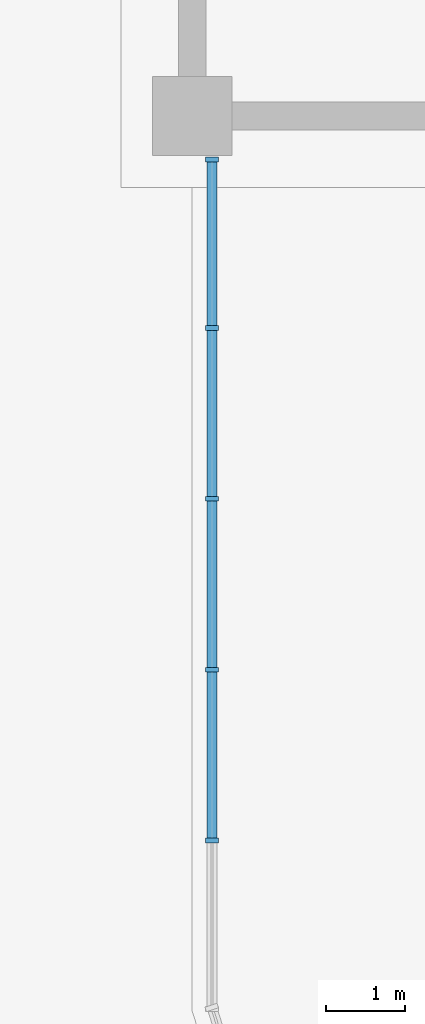
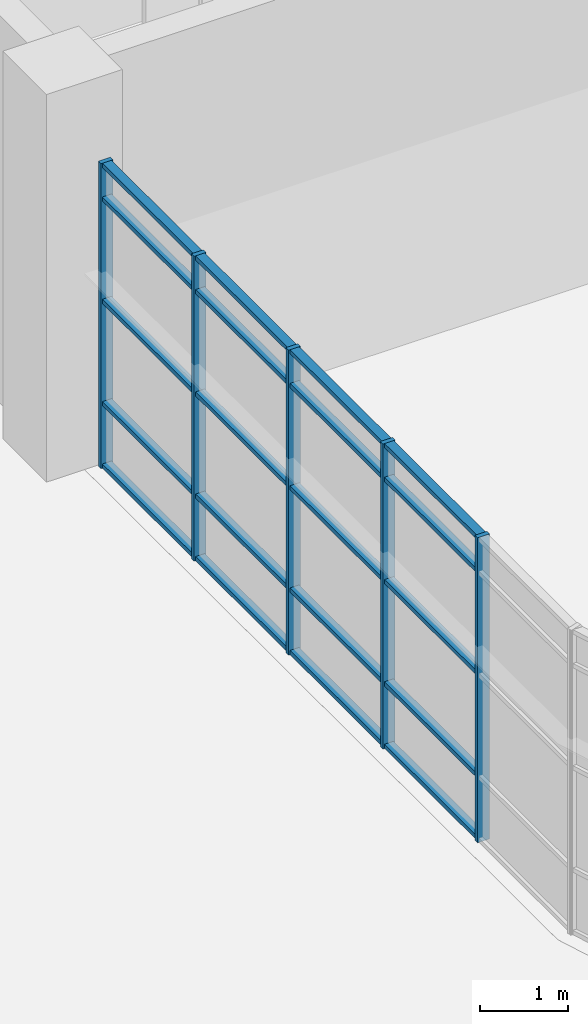
# One storey, part 25 of 146: 25 members, 1 element without a shape of its own.
"""IFC4 building model written with IfcOpenShell, lengths in metres."""

from ifc_helpers import new_model, si_unit, direction, frame, origin, origin_2d, place, context, subcontext, project, spatial, rectangle, extrude, material, material_profile, profile_set, type_object, element, aggregate, save


model = new_model("IFC4")

# Units and contexts
model_context = context("Model", 3, precision=1e-05, world=origin(), true_north=direction((0.0, 1.0)))
body_context = subcontext(model_context, "Body", "Model", "MODEL_VIEW")
ifc_project = project(units=[si_unit("LENGTHUNIT", "METRE"), si_unit("AREAUNIT", "SQUARE_METRE"), si_unit("VOLUMEUNIT", "CUBIC_METRE"), si_unit("PLANEANGLEUNIT", "RADIAN"), si_unit("MASSUNIT", "GRAM", prefix="KILO")], contexts=[model_context])

# Site, building, storey
site_placement = place(None, origin())
site = spatial("IfcSite", under=ifc_project, at=site_placement, CompositionType="ELEMENT")
building_placement = place(site_placement, origin())
building = spatial("IfcBuilding", under=site, at=building_placement, Name="Bougainvillea Quay General Hospital", CompositionType="ELEMENT")
storey_placement = place(building_placement, origin())
storey = spatial("IfcBuildingStorey", under=building, at=storey_placement, Name="L00", CompositionType="ELEMENT", Elevation=0.0)

# Curtain wall, members
ifc_material_1 = material(Name="Aluminium curtain wall system, powder-coated glazed", Category="aluminium")
curtain_wall_type = type_object("IfcCurtainWallType", Name="Unitised curtain wall CW-2157", PredefinedType="NOTDEFINED", material=ifc_material_1)
curtain_wall_placement = place(storey_placement, origin())
curtain_wall = element("IfcCurtainWall", 1, at=curtain_wall_placement, inside=storey, type_object=curtain_wall_type, Name="CW-AE 00", PredefinedType="NOTDEFINED")
ifc_material_2 = material(Name="Aluminium mullion, powder-coated charcoal", Category="aluminium")
ifc_material_profile_1 = material_profile(ifc_material_2, rectangle(XDim=0.159912109375, YDim=0.06005859375, at=origin_2d()))
ifc_profile_set_1 = profile_set([ifc_material_profile_1], Name="Aluminium mullion, powder-coated charcoal")
member_type_1 = type_object("IfcMemberType", Name="Curtain wall mullion 160x60", PredefinedType="MULLION", material=ifc_profile_set_1)
member_1_placement = place(storey_placement, frame((42.25, 117.050048828125, 0.0), z_axis=(0.0, 0.0, 1.0), x_axis=(1.0, 0.0, 0.0)))
member_1 = element("IfcMember", 2, at=member_1_placement, type_object=member_type_1, Name="CW-AE mullion 1", PredefinedType="MULLION", context=body_context, shape_type="SweptSolid", body=[
    extrude(rectangle(XDim=0.159912109375, YDim=0.06005859375, at=origin_2d()), origin(), (0.0, 0.0, 1.0), 4.25),
])
member_2_placement = place(storey_placement, frame((42.25, 114.923095703125, 0.0), z_axis=(0.0, 0.0, 1.0), x_axis=(1.0, 0.0, 0.0)))
member_2 = element("IfcMember", 3, at=member_2_placement, type_object=member_type_1, Name="CW-AE mullion 2", PredefinedType="MULLION", context=body_context, shape_type="SweptSolid", body=[
    extrude(rectangle(XDim=0.159912109375, YDim=0.06005859375, at=origin_2d()), origin(), (0.0, 0.0, 1.0), 4.25),
])
member_3_placement = place(storey_placement, frame((42.25, 112.766357421875, 0.0), z_axis=(0.0, 0.0, 1.0), x_axis=(1.0, 0.0, 0.0)))
member_3 = element("IfcMember", 4, at=member_3_placement, type_object=member_type_1, Name="CW-AE mullion 3", PredefinedType="MULLION", context=body_context, shape_type="SweptSolid", body=[
    extrude(rectangle(XDim=0.159912109375, YDim=0.06005859375, at=origin_2d()), origin(), (0.0, 0.0, 1.0), 4.25),
])
member_4_placement = place(storey_placement, frame((42.25, 110.609619140625, 0.0), z_axis=(0.0, 0.0, 1.0), x_axis=(1.0, 0.0, 0.0)))
member_4 = element("IfcMember", 5, at=member_4_placement, type_object=member_type_1, Name="CW-AE mullion 4", PredefinedType="MULLION", context=body_context, shape_type="SweptSolid", body=[
    extrude(rectangle(XDim=0.159912109375, YDim=0.06005859375, at=origin_2d()), origin(), (0.0, 0.0, 1.0), 4.25),
])
member_5_placement = place(storey_placement, frame((42.25, 108.452880859375, 0.0), z_axis=(0.0, 0.0, 1.0), x_axis=(1.0, 0.0, 0.0)))
member_5 = element("IfcMember", 6, at=member_5_placement, type_object=member_type_1, Name="CW-AE mullion 5", PredefinedType="MULLION", context=body_context, shape_type="SweptSolid", body=[
    extrude(rectangle(XDim=0.159912109375, YDim=0.06005859375, at=origin_2d()), origin(), (0.0, 0.0, 1.0), 4.25),
])
ifc_material_3 = material(Name="Aluminium transom, powder-coated charcoal", Category="aluminium")
ifc_material_profile_2 = material_profile(ifc_material_3, rectangle(XDim=0.1201171875, YDim=0.06005859375, at=origin_2d()))
ifc_profile_set_2 = profile_set([ifc_material_profile_2], Name="Aluminium transom, powder-coated charcoal")
member_type_2 = type_object("IfcMemberType", Name="Curtain wall transom 120x60", PredefinedType="USERDEFINED", material=ifc_profile_set_2)
member_6_placement = place(storey_placement, frame((42.25, 117.02001953125, 0.030029296875), z_axis=(0.0, -1.0, 0.0), x_axis=(1.0, 0.0, 0.0)))
member_6 = element("IfcMember", 7, at=member_6_placement, type_object=member_type_2, Name="CW-AE transom 1.1", ObjectType="TRANSOM", PredefinedType="USERDEFINED", context=body_context, shape_type="SweptSolid", body=[
    extrude(rectangle(XDim=0.1201171875, YDim=0.06005859375, at=origin_2d()), origin(), (0.0, 0.0, 1.0), 2.06689453125),
])
member_7_placement = place(storey_placement, frame((42.25, 117.02001953125, 0.89990234375), z_axis=(0.0, -1.0, 0.0), x_axis=(1.0, 0.0, 0.0)))
member_7 = element("IfcMember", 8, at=member_7_placement, type_object=member_type_2, Name="CW-AE transom 1.2", ObjectType="TRANSOM", PredefinedType="USERDEFINED", context=body_context, shape_type="SweptSolid", body=[
    extrude(rectangle(XDim=0.1201171875, YDim=0.06005859375, at=origin_2d()), origin(), (0.0, 0.0, 1.0), 2.06689453125),
])
member_8_placement = place(storey_placement, frame((42.25, 117.02001953125, 2.324951171875), z_axis=(0.0, -1.0, 0.0), x_axis=(1.0, 0.0, 0.0)))
member_8 = element("IfcMember", 9, at=member_8_placement, type_object=member_type_2, Name="CW-AE transom 1.3", ObjectType="TRANSOM", PredefinedType="USERDEFINED", context=body_context, shape_type="SweptSolid", body=[
    extrude(rectangle(XDim=0.1201171875, YDim=0.06005859375, at=origin_2d()), origin(), (0.0, 0.0, 1.0), 2.06689453125),
])
member_9_placement = place(storey_placement, frame((42.25, 117.02001953125, 3.75), z_axis=(0.0, -1.0, 0.0), x_axis=(1.0, 0.0, 0.0)))
member_9 = element("IfcMember", 10, at=member_9_placement, type_object=member_type_2, Name="CW-AE transom 1.4", ObjectType="TRANSOM", PredefinedType="USERDEFINED", context=body_context, shape_type="SweptSolid", body=[
    extrude(rectangle(XDim=0.1201171875, YDim=0.06005859375, at=origin_2d()), origin(), (0.0, 0.0, 1.0), 2.06689453125),
])
member_10_placement = place(storey_placement, frame((42.25, 117.02001953125, 4.219970703125), z_axis=(0.0, -1.0, 0.0), x_axis=(1.0, 0.0, 0.0)))
member_10 = element("IfcMember", 11, at=member_10_placement, type_object=member_type_2, Name="CW-AE transom 1.5", ObjectType="TRANSOM", PredefinedType="USERDEFINED", context=body_context, shape_type="SweptSolid", body=[
    extrude(rectangle(XDim=0.1201171875, YDim=0.06005859375, at=origin_2d()), origin(), (0.0, 0.0, 1.0), 2.06689453125),
])
member_11_placement = place(storey_placement, frame((42.25, 114.893310546875, 0.030029296875), z_axis=(0.0, -1.0, 0.0), x_axis=(1.0, 0.0, 0.0)))
member_11 = element("IfcMember", 12, at=member_11_placement, type_object=member_type_2, Name="CW-AE transom 2.1", ObjectType="TRANSOM", PredefinedType="USERDEFINED", context=body_context, shape_type="SweptSolid", body=[
    extrude(rectangle(XDim=0.1201171875, YDim=0.06005859375, at=origin_2d()), origin(), (0.0, 0.0, 1.0), 2.096923828125),
])
member_12_placement = place(storey_placement, frame((42.25, 114.893310546875, 0.89990234375), z_axis=(0.0, -1.0, 0.0), x_axis=(1.0, 0.0, 0.0)))
member_12 = element("IfcMember", 13, at=member_12_placement, type_object=member_type_2, Name="CW-AE transom 2.2", ObjectType="TRANSOM", PredefinedType="USERDEFINED", context=body_context, shape_type="SweptSolid", body=[
    extrude(rectangle(XDim=0.1201171875, YDim=0.06005859375, at=origin_2d()), origin(), (0.0, 0.0, 1.0), 2.096923828125),
])
member_13_placement = place(storey_placement, frame((42.25, 114.893310546875, 2.324951171875), z_axis=(0.0, -1.0, 0.0), x_axis=(1.0, 0.0, 0.0)))
member_13 = element("IfcMember", 14, at=member_13_placement, type_object=member_type_2, Name="CW-AE transom 2.3", ObjectType="TRANSOM", PredefinedType="USERDEFINED", context=body_context, shape_type="SweptSolid", body=[
    extrude(rectangle(XDim=0.1201171875, YDim=0.06005859375, at=origin_2d()), origin(), (0.0, 0.0, 1.0), 2.096923828125),
])
member_14_placement = place(storey_placement, frame((42.25, 114.893310546875, 3.75), z_axis=(0.0, -1.0, 0.0), x_axis=(1.0, 0.0, 0.0)))
member_14 = element("IfcMember", 15, at=member_14_placement, type_object=member_type_2, Name="CW-AE transom 2.4", ObjectType="TRANSOM", PredefinedType="USERDEFINED", context=body_context, shape_type="SweptSolid", body=[
    extrude(rectangle(XDim=0.1201171875, YDim=0.06005859375, at=origin_2d()), origin(), (0.0, 0.0, 1.0), 2.096923828125),
])
member_15_placement = place(storey_placement, frame((42.25, 114.893310546875, 4.219970703125), z_axis=(0.0, -1.0, 0.0), x_axis=(1.0, 0.0, 0.0)))
member_15 = element("IfcMember", 16, at=member_15_placement, type_object=member_type_2, Name="CW-AE transom 2.5", ObjectType="TRANSOM", PredefinedType="USERDEFINED", context=body_context, shape_type="SweptSolid", body=[
    extrude(rectangle(XDim=0.1201171875, YDim=0.06005859375, at=origin_2d()), origin(), (0.0, 0.0, 1.0), 2.096923828125),
])
member_16_placement = place(storey_placement, frame((42.25, 112.736328125, 0.030029296875), z_axis=(0.0, -1.0, 0.0), x_axis=(1.0, 0.0, 0.0)))
member_16 = element("IfcMember", 17, at=member_16_placement, type_object=member_type_2, Name="CW-AE transom 3.1", ObjectType="TRANSOM", PredefinedType="USERDEFINED", context=body_context, shape_type="SweptSolid", body=[
    extrude(rectangle(XDim=0.1201171875, YDim=0.06005859375, at=origin_2d()), origin(), (0.0, 0.0, 1.0), 2.0966796875),
])
member_17_placement = place(storey_placement, frame((42.25, 112.736328125, 0.89990234375), z_axis=(0.0, -1.0, 0.0), x_axis=(1.0, 0.0, 0.0)))
member_17 = element("IfcMember", 18, at=member_17_placement, type_object=member_type_2, Name="CW-AE transom 3.2", ObjectType="TRANSOM", PredefinedType="USERDEFINED", context=body_context, shape_type="SweptSolid", body=[
    extrude(rectangle(XDim=0.1201171875, YDim=0.06005859375, at=origin_2d()), origin(), (0.0, 0.0, 1.0), 2.0966796875),
])
member_18_placement = place(storey_placement, frame((42.25, 112.736328125, 2.324951171875), z_axis=(0.0, -1.0, 0.0), x_axis=(1.0, 0.0, 0.0)))
member_18 = element("IfcMember", 19, at=member_18_placement, type_object=member_type_2, Name="CW-AE transom 3.3", ObjectType="TRANSOM", PredefinedType="USERDEFINED", context=body_context, shape_type="SweptSolid", body=[
    extrude(rectangle(XDim=0.1201171875, YDim=0.06005859375, at=origin_2d()), origin(), (0.0, 0.0, 1.0), 2.0966796875),
])
member_19_placement = place(storey_placement, frame((42.25, 112.736328125, 3.75), z_axis=(0.0, -1.0, 0.0), x_axis=(1.0, 0.0, 0.0)))
member_19 = element("IfcMember", 20, at=member_19_placement, type_object=member_type_2, Name="CW-AE transom 3.4", ObjectType="TRANSOM", PredefinedType="USERDEFINED", context=body_context, shape_type="SweptSolid", body=[
    extrude(rectangle(XDim=0.1201171875, YDim=0.06005859375, at=origin_2d()), origin(), (0.0, 0.0, 1.0), 2.0966796875),
])
member_20_placement = place(storey_placement, frame((42.25, 112.736328125, 4.219970703125), z_axis=(0.0, -1.0, 0.0), x_axis=(1.0, 0.0, 0.0)))
member_20 = element("IfcMember", 21, at=member_20_placement, type_object=member_type_2, Name="CW-AE transom 3.5", ObjectType="TRANSOM", PredefinedType="USERDEFINED", context=body_context, shape_type="SweptSolid", body=[
    extrude(rectangle(XDim=0.1201171875, YDim=0.06005859375, at=origin_2d()), origin(), (0.0, 0.0, 1.0), 2.0966796875),
])
member_21_placement = place(storey_placement, frame((42.25, 110.57958984375, 0.030029296875), z_axis=(0.0, -1.0, 0.0), x_axis=(1.0, 0.0, 0.0)))
member_21 = element("IfcMember", 22, at=member_21_placement, type_object=member_type_2, Name="CW-AE transom 4.1", ObjectType="TRANSOM", PredefinedType="USERDEFINED", context=body_context, shape_type="SweptSolid", body=[
    extrude(rectangle(XDim=0.1201171875, YDim=0.06005859375, at=origin_2d()), origin(), (0.0, 0.0, 1.0), 2.0966796875),
])
member_22_placement = place(storey_placement, frame((42.25, 110.57958984375, 0.89990234375), z_axis=(0.0, -1.0, 0.0), x_axis=(1.0, 0.0, 0.0)))
member_22 = element("IfcMember", 23, at=member_22_placement, type_object=member_type_2, Name="CW-AE transom 4.2", ObjectType="TRANSOM", PredefinedType="USERDEFINED", context=body_context, shape_type="SweptSolid", body=[
    extrude(rectangle(XDim=0.1201171875, YDim=0.06005859375, at=origin_2d()), origin(), (0.0, 0.0, 1.0), 2.0966796875),
])
member_23_placement = place(storey_placement, frame((42.25, 110.57958984375, 2.324951171875), z_axis=(0.0, -1.0, 0.0), x_axis=(1.0, 0.0, 0.0)))
member_23 = element("IfcMember", 24, at=member_23_placement, type_object=member_type_2, Name="CW-AE transom 4.3", ObjectType="TRANSOM", PredefinedType="USERDEFINED", context=body_context, shape_type="SweptSolid", body=[
    extrude(rectangle(XDim=0.1201171875, YDim=0.06005859375, at=origin_2d()), origin(), (0.0, 0.0, 1.0), 2.0966796875),
])
member_24_placement = place(storey_placement, frame((42.25, 110.57958984375, 3.75), z_axis=(0.0, -1.0, 0.0), x_axis=(1.0, 0.0, 0.0)))
member_24 = element("IfcMember", 25, at=member_24_placement, type_object=member_type_2, Name="CW-AE transom 4.4", ObjectType="TRANSOM", PredefinedType="USERDEFINED", context=body_context, shape_type="SweptSolid", body=[
    extrude(rectangle(XDim=0.1201171875, YDim=0.06005859375, at=origin_2d()), origin(), (0.0, 0.0, 1.0), 2.0966796875),
])
member_25_placement = place(storey_placement, frame((42.25, 110.57958984375, 4.219970703125), z_axis=(0.0, -1.0, 0.0), x_axis=(1.0, 0.0, 0.0)))
member_25 = element("IfcMember", 26, at=member_25_placement, type_object=member_type_2, Name="CW-AE transom 4.5", ObjectType="TRANSOM", PredefinedType="USERDEFINED", context=body_context, shape_type="SweptSolid", body=[
    extrude(rectangle(XDim=0.1201171875, YDim=0.06005859375, at=origin_2d()), origin(), (0.0, 0.0, 1.0), 2.0966796875),
])
aggregate(curtain_wall, [member_1, member_2, member_3, member_4, member_5, member_6, member_7, member_8, member_9, member_10, member_11, member_12, member_13, member_14, member_15, member_16, member_17, member_18, member_19, member_20, member_21, member_22, member_23, member_24, member_25])

save(model, "model.ifc")
